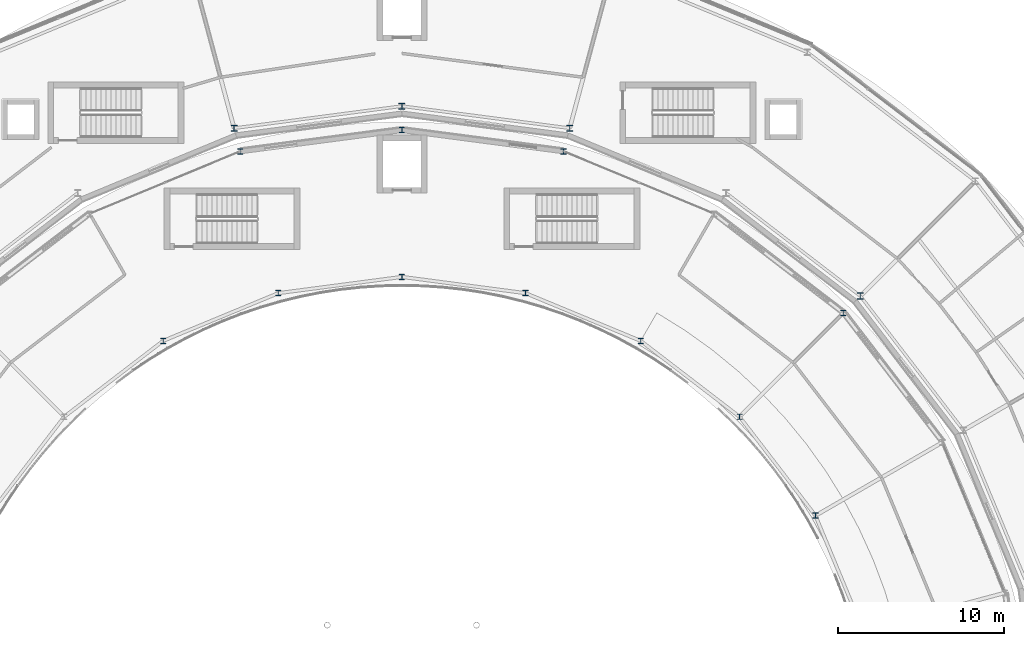
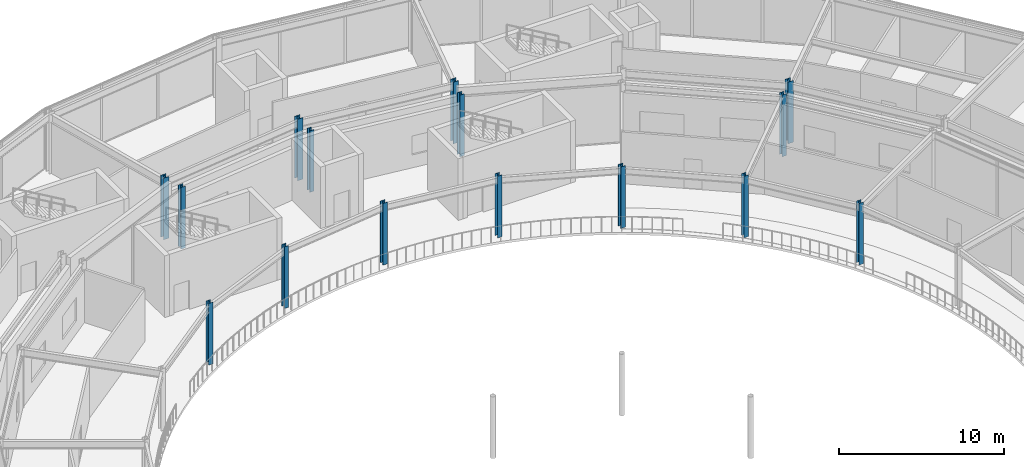
# One storey, part 14 of 157: 15 columns.
"""IFC4 building model written with IfcOpenShell, lengths in metres."""

from ifc_helpers import new_model, si_unit, direction, frame, origin, origin_2d, place, context, subcontext, project, spatial, i_section, extrude, material, material_profile, profile_set, type_object, element, save


model = new_model("IFC4")

# Units and contexts
model_context = context("Model", 3, precision=1e-05, world=origin(), true_north=direction((0.0, 1.0)))
body_context = subcontext(model_context, "Body", "Model", "MODEL_VIEW")
ifc_project = project(units=[si_unit("LENGTHUNIT", "METRE"), si_unit("AREAUNIT", "SQUARE_METRE"), si_unit("VOLUMEUNIT", "CUBIC_METRE"), si_unit("PLANEANGLEUNIT", "RADIAN"), si_unit("MASSUNIT", "GRAM", prefix="KILO")], contexts=[model_context])

# Site, building, storey
site_placement = place(None, origin())
site = spatial("IfcSite", under=ifc_project, at=site_placement, CompositionType="ELEMENT")
building_placement = place(site_placement, origin())
building = spatial("IfcBuilding", under=site, at=building_placement, Name="Almandine Court Research Institute", CompositionType="ELEMENT")
storey_placement = place(building_placement, frame((0.0, 0.0, 5.25)))
storey = spatial("IfcBuildingStorey", under=building, at=storey_placement, Name="L01", CompositionType="ELEMENT", Elevation=5.25)

# Columns
ifc_material = material(Name="Steel ASTM A992 Grade 50", Category="steel")
ifc_material_profile_1 = material_profile(ifc_material, i_section(OverallWidth=0.373046875, OverallDepth=0.367919921875, WebThickness=0.01708984375, FlangeThickness=0.027099609375, at=origin_2d()), Name="W360x179")
ifc_profile_set_1 = profile_set([ifc_material_profile_1], Name="Steel ASTM A992 Grade 50")
column_type_1 = type_object("IfcColumnType", Name="Col-C-W03-E", PredefinedType="COLUMN", material=ifc_profile_set_1)
for number, where, z_axis, x_axis, name in (
    (1, (114.64794921875, 83.64794921875, 0.0), (0.0, 0.0, 1.0), (1.0, 0.0, 0.0), "L01 V5 Column V5-IN-S03"),
    (2, (97.1201171875, 93.76806640625, 0.0), (0.0, 0.0, 1.0), (1.0, 0.0, 0.0), "L01 V5 Column V5-IN-S05"),
    (3, (87.0, 95.10009765625, 0.0), (0.0, 0.0, 1.0), (1.0, 0.0, 0.0), "L01 V5 Column V5-IN-S06"),
    (4, (76.8798828125, 93.76806640625, 0.0), (0.0, 0.0, 1.0), (1.0, 0.0, 0.0), "L01 V5 Column V5-IN-S07"),
):
    element("IfcColumn", number, at=place(storey_placement, frame(where, z_axis=z_axis, x_axis=x_axis)), inside=storey, type_object=column_type_1, Name=name, PredefinedType="COLUMN", context=body_context, shape_type="SweptSolid", body=[
        extrude(i_section(OverallWidth=0.373046875, OverallDepth=0.367919921875, WebThickness=0.01708984375, FlangeThickness=0.027099609375, at=origin_2d()), origin(), (0.0, 0.0, 1.0), 4.550048828125),
    ])
ifc_material_profile_2 = material_profile(ifc_material, i_section(OverallWidth=0.31005859375, OverallDepth=0.326904296875, WebThickness=0.01611328125, FlangeThickness=0.02490234375, at=origin_2d()), Name="W310x158")
ifc_profile_set_2 = profile_set([ifc_material_profile_2], Name="Steel ASTM A992 Grade 50")
column_type_2 = type_object("IfcColumnType", Name="Col-C-W06", PredefinedType="COLUMN", material=ifc_profile_set_2)
for number, where, z_axis, x_axis, name in (
    (5, (113.623046875, 82.623046875, 0.0), (0.0, 0.0, 1.0), (1.0, 0.0, 0.0), "L01 V2 Column V2-OUT-S03"),
    (6, (96.7451171875, 92.366943359375, 0.0), (0.0, 0.0, 1.0), (1.0, 0.0, 0.0), "L01 V2 Column V2-OUT-S05"),
    (7, (87.0, 93.64990234375, 0.0), (0.0, 0.0, 1.0), (1.0, 0.0, 0.0), "L01 V2 Column V2-OUT-S06"),
    (8, (77.2548828125, 92.366943359375, 0.0), (0.0, 0.0, 1.0), (1.0, 0.0, 0.0), "L01 V2 Column V2-OUT-S07"),
    (9, (111.94189453125, 70.39990234375, 0.0), (0.0, 0.0, 1.0), (1.0, 0.0, 0.0), "L01 V2 Column V2-MID-S02"),
    (10, (107.364990234375, 76.364990234375, 0.0), (0.0, 0.0, 1.0), (1.0, 0.0, 0.0), "L01 V2 Column V2-MID-S03"),
    (11, (101.39990234375, 80.94189453125, 0.0), (0.0, 0.0, 1.0), (1.0, 0.0, 0.0), "L01 V2 Column V2-MID-S04"),
    (12, (94.4541015625, 83.819091796875, 0.0), (0.0, 0.0, 1.0), (1.0, 0.0, 0.0), "L01 V2 Column V2-MID-S05"),
    (13, (87.0, 84.800048828125, 0.0), (0.0, 0.0, 1.0), (1.0, 0.0, 0.0), "L01 V2 Column V2-MID-S06"),
    (14, (79.5458984375, 83.819091796875, 0.0), (0.0, 0.0, 1.0), (1.0, 0.0, 0.0), "L01 V2 Column V2-MID-S07"),
    (15, (72.60009765625, 80.94189453125, 0.0), (0.0, 0.0, 1.0), (1.0, 0.0, 0.0), "L01 V2 Column V2-MID-S08"),
):
    element("IfcColumn", number, at=place(storey_placement, frame(where, z_axis=z_axis, x_axis=x_axis)), inside=storey, type_object=column_type_2, Name=name, PredefinedType="COLUMN", context=body_context, shape_type="SweptSolid", body=[
        extrude(i_section(OverallWidth=0.31005859375, OverallDepth=0.326904296875, WebThickness=0.01611328125, FlangeThickness=0.02490234375, at=origin_2d()), origin(), (0.0, 0.0, 1.0), 4.550048828125),
    ])

save(model, "model.ifc")
